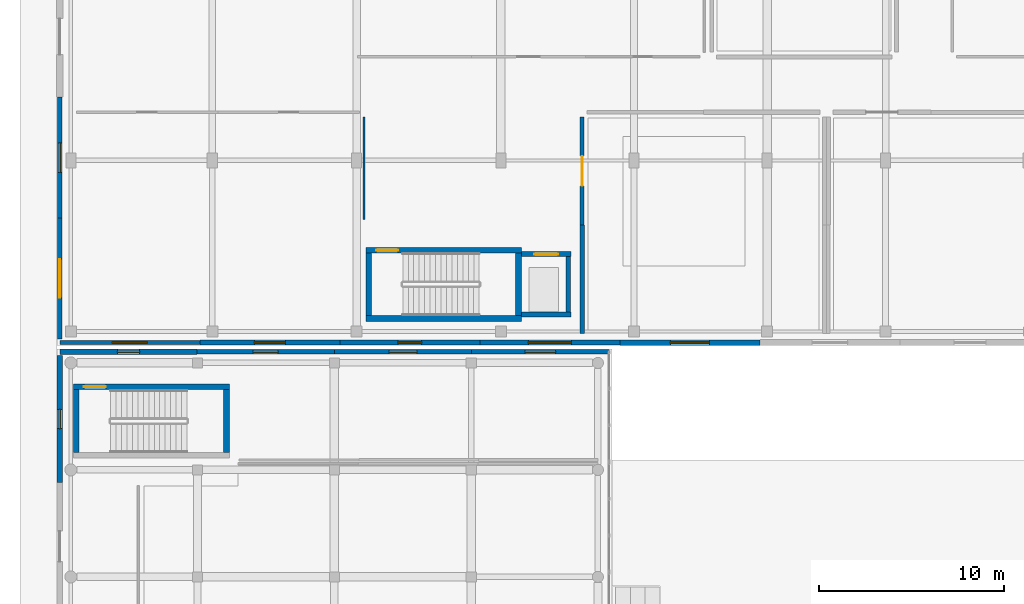
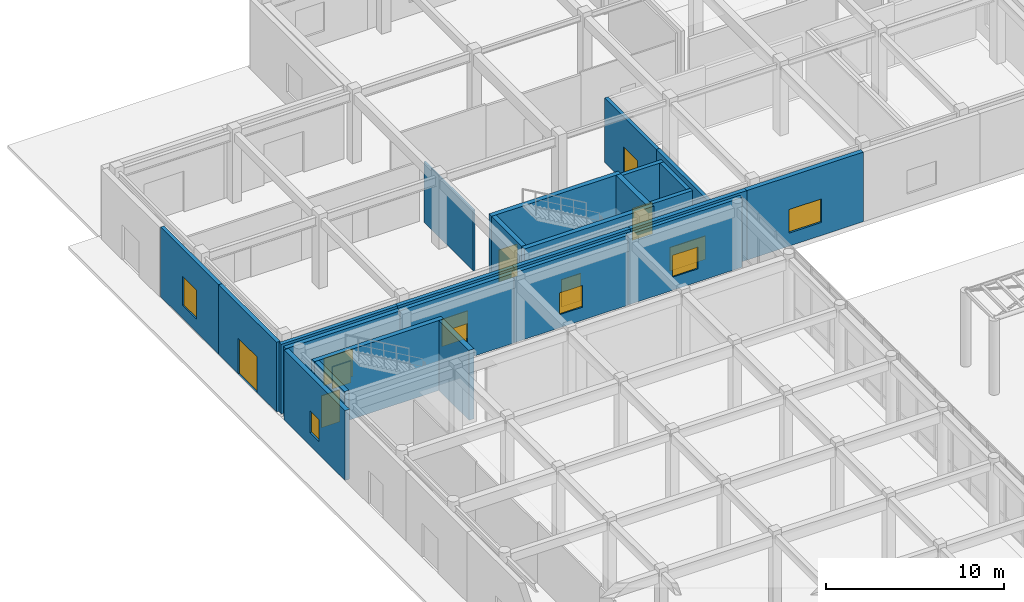
# One storey, part 101 of 121: 25 walls, 11 windows, 5 doors, 16 openings.
"""IFC4 building model written with IfcOpenShell, lengths in metres."""

from ifc_helpers import new_model, si_unit, direction, frame, frame_2d, origin, place, context, subcontext, project, spatial, rectangle, extrude, material, layer, layer_set, type_object, element, fill, save


model = new_model("IFC4")

# Units and contexts
model_context = context("Model", 3, precision=1e-05, world=origin(), true_north=direction((0.0, 1.0)))
body_context = subcontext(model_context, "Body", "Model", "MODEL_VIEW")
ifc_project = project(units=[si_unit("LENGTHUNIT", "METRE"), si_unit("AREAUNIT", "SQUARE_METRE"), si_unit("VOLUMEUNIT", "CUBIC_METRE"), si_unit("PLANEANGLEUNIT", "RADIAN"), si_unit("MASSUNIT", "GRAM", prefix="KILO")], contexts=[model_context])

# Site, building, storey
site_placement = place(None, origin())
site = spatial("IfcSite", under=ifc_project, at=site_placement, CompositionType="ELEMENT")
building_placement = place(site_placement, origin())
building = spatial("IfcBuilding", under=site, at=building_placement, Name="Valcora Specialist Clinic", CompositionType="ELEMENT")
storey_placement = place(building_placement, origin())
storey = spatial("IfcBuildingStorey", under=building, at=storey_placement, Name="L00", CompositionType="ELEMENT", Elevation=0.0)

# Wall, opening, door
ifc_material_1 = material(Name="Concrete C40/50", Category="concrete")
ifc_layer_1 = layer(ifc_material_1, 0.300048828125)
ifc_layer_set_1 = layer_set([ifc_layer_1], Name="Concrete C40/50")
wall_type_1 = type_object("IfcWallType", Name="TY-WL-CR300", PredefinedType="SHEAR", material=ifc_layer_set_1)
wall_1_placement = place(storey_placement, frame((0.89990234375, 77.949951171875, 0.0), z_axis=(0.0, 0.0, 1.0), x_axis=(1.0, 0.0, 0.0)))
wall_1 = element("IfcWall", 1, at=wall_1_placement, inside=storey, type_object=wall_type_1, Name="Core shear wall WL-CR-C-V1B-L00-N", PredefinedType="SHEAR", context=body_context, shape_type="SweptSolid", body=[
    extrude(rectangle(XDim=8.420166015625, YDim=0.300048828125, at=frame_2d((4.2099609375, 0.0))), origin(), (0.0, 0.0, 1.0), 4.81005859375),
])
opening_1_placement = place(wall_1_placement, frame((0.550048828125, 0.0, 0.0)))
opening_1 = element("IfcOpeningElement", 2, at=opening_1_placement, cuts=wall_1, Name="Opening DR-FD-120", PredefinedType="OPENING", context=body_context, shape_type="SweptSolid", body=[
    extrude(rectangle(XDim=1.199951171875, YDim=2.199951171875, at=frame_2d((0.60009765625, 1.10009765625))), frame((0.0, 0.159912109375, 0.0), z_axis=(0.0, -1.0, 0.0), x_axis=(1.0, 0.0, 0.0)), (0.0, 0.0, 1.0), 0.320068359375),
])
ifc_material_2 = material(Name="Galvanized Hollow Metal Door Steel ASTM A653", Category="steel")
door_type_1 = type_object("IfcDoorType", Name="TY-DR-ST120", OperationType="NOTDEFINED", PredefinedType="DOOR", material=ifc_material_2)
door_1_placement = place(opening_1_placement, origin())
door_1 = element("IfcDoor", 3, at=door_1_placement, inside=storey, type_object=door_type_1, Name="Exit stair fire door C-V1B L00", OperationType="SINGLE_SWING_LEFT", OverallHeight=2.199951171875, OverallWidth=1.199951171875, PredefinedType="DOOR", context=body_context, shape_type="SweptSolid", body=[
    extrude(rectangle(XDim=1.199951171875, YDim=2.199951171875, at=frame_2d((0.60009765625, 1.10009765625))), frame((0.0, 0.02490234375, 0.0), z_axis=(0.0, -1.0, 0.0), x_axis=(1.0, 0.0, 0.0)), (0.0, 0.0, 1.0), 0.050048828125),
])
fill(opening_1, door_1)

# Walls
wall_2_placement = place(storey_placement, frame((1.050048828125, 74.402099609375, 0.0), z_axis=(0.0, 0.0, 1.0), x_axis=(0.0, 1.0, 0.0)))
element("IfcWall", 4, at=wall_2_placement, inside=storey, type_object=wall_type_1, Name="Core shear wall WL-CR-C-V1B-L00-W", PredefinedType="SHEAR", context=body_context, shape_type="SweptSolid", body=[
    extrude(rectangle(XDim=3.39599609375, YDim=0.300048828125, at=frame_2d((1.697998046875, 0.0))), origin(), (0.0, 0.0, 1.0), 4.81005859375),
])
wall_3_placement = place(storey_placement, frame((16.699951171875, 81.64990234375, 0.0), z_axis=(0.0, 0.0, 1.0), x_axis=(1.0, 0.0, 0.0)))
element("IfcWall", 5, at=wall_3_placement, inside=storey, type_object=wall_type_1, Name="Core shear wall WL-CR-C-V2A-L00-S", PredefinedType="SHEAR", context=body_context, shape_type="SweptSolid", body=[
    extrude(rectangle(XDim=8.420166015625, YDim=0.300048828125, at=frame_2d((4.2099609375, 0.0))), origin(), (0.0, 0.0, 1.0), 4.784912109375),
])

# Wall, opening, door
wall_4_placement = place(storey_placement, frame((16.699951171875, 85.35009765625, 0.0), z_axis=(0.0, 0.0, 1.0), x_axis=(1.0, 0.0, 0.0)))
wall_4 = element("IfcWall", 6, at=wall_4_placement, inside=storey, type_object=wall_type_1, Name="Core shear wall WL-CR-C-V2A-L00-N", PredefinedType="SHEAR", context=body_context, shape_type="SweptSolid", body=[
    extrude(rectangle(XDim=8.420166015625, YDim=0.300048828125, at=frame_2d((4.2099609375, 0.0))), origin(), (0.0, 0.0, 1.0), 4.784912109375),
])
opening_2_placement = place(wall_4_placement, frame((0.550048828125, 0.0, 0.0)))
opening_2 = element("IfcOpeningElement", 7, at=opening_2_placement, cuts=wall_4, Name="Opening DR-FD-120", PredefinedType="OPENING", context=body_context, shape_type="SweptSolid", body=[
    extrude(rectangle(XDim=1.199951171875, YDim=2.199951171875, at=frame_2d((0.60009765625, 1.10009765625))), frame((0.0, 0.159912109375, 0.0), z_axis=(0.0, -1.0, 0.0), x_axis=(1.0, 0.0, 0.0)), (0.0, 0.0, 1.0), 0.320068359375),
])
door_2_placement = place(opening_2_placement, origin())
door_2 = element("IfcDoor", 8, at=door_2_placement, inside=storey, type_object=door_type_1, Name="Exit stair fire door C-V2A L00", OperationType="SINGLE_SWING_LEFT", OverallHeight=2.199951171875, OverallWidth=1.199951171875, PredefinedType="DOOR", context=body_context, shape_type="SweptSolid", body=[
    extrude(rectangle(XDim=1.199951171875, YDim=2.199951171875, at=frame_2d((0.60009765625, 1.10009765625))), frame((0.0, 0.02490234375, 0.0), z_axis=(0.0, -1.0, 0.0), x_axis=(1.0, 0.0, 0.0)), (0.0, 0.0, 1.0), 0.050048828125),
])
fill(opening_2, door_2)

# Walls
wall_5_placement = place(storey_placement, frame((16.85009765625, 81.802001953125, 0.0), z_axis=(0.0, 0.0, 1.0), x_axis=(0.0, 1.0, 0.0)))
element("IfcWall", 9, at=wall_5_placement, inside=storey, type_object=wall_type_1, Name="Core shear wall WL-CR-C-V2A-L00-W", PredefinedType="SHEAR", context=body_context, shape_type="SweptSolid", body=[
    extrude(rectangle(XDim=3.39599609375, YDim=0.300048828125, at=frame_2d((1.697998046875, 0.0))), origin(), (0.0, 0.0, 1.0), 4.784912109375),
])
ifc_layer_2 = layer(ifc_material_1, 0.320068359375)
ifc_layer_set_2 = layer_set([ifc_layer_2], Name="Concrete C40/50")
wall_type_2 = type_object("IfcWallType", Name="TY-WL-CR320", PredefinedType="SHEAR", material=ifc_layer_set_2)
wall_6_placement = place(storey_placement, frame((9.159912109375, 74.402099609375, 0.0), z_axis=(0.0, 0.0, 1.0), x_axis=(0.0, 1.0, 0.0)))
element("IfcWall", 10, at=wall_6_placement, inside=storey, type_object=wall_type_2, Name="Core shear wall WL-CR-C-V1B-L00-E", PredefinedType="SHEAR", context=body_context, shape_type="SweptSolid", body=[
    extrude(rectangle(XDim=3.39599609375, YDim=0.320068359375, at=frame_2d((1.697998046875, 0.0))), origin(), (0.0, 0.0, 1.0), 4.81005859375),
])
wall_7_placement = place(storey_placement, frame((24.9599609375, 81.802001953125, 0.0), z_axis=(0.0, 0.0, 1.0), x_axis=(0.0, 1.0, 0.0)))
element("IfcWall", 11, at=wall_7_placement, inside=storey, type_object=wall_type_2, Name="Core shear wall WL-CR-C-V2A-L00-E", PredefinedType="SHEAR", context=body_context, shape_type="SweptSolid", body=[
    extrude(rectangle(XDim=3.39599609375, YDim=0.320068359375, at=frame_2d((1.697998046875, 0.0))), origin(), (0.0, 0.0, 1.0), 4.784912109375),
])

# Wall, opening, window
ifc_material_3 = material(Name="Extruded Jalisco Clay Brick Masonry", Category="masonry")
ifc_layer_3 = layer(ifc_material_3, 0.235107421875)
ifc_layer_set_3 = layer_set([ifc_layer_3], Name="Extruded Jalisco Clay Brick Masonry")
wall_type_3 = type_object("IfcWallType", Name="TY-WL-EW235", PredefinedType="SOLIDWALL", material=ifc_layer_set_3)
wall_8_placement = place(storey_placement, frame((22.425048828125, 79.85009765625, 0.0), z_axis=(0.0, 0.0, 1.0), x_axis=(1.0, 0.0, 0.0)))
wall_8 = element("IfcWall", 12, at=wall_8_placement, inside=storey, type_object=wall_type_3, Name="Exterior wall WL-EXT-L00-0020", PredefinedType="SOLIDWALL", context=body_context, shape_type="SweptSolid", body=[
    extrude(rectangle(XDim=7.425048828125, YDim=0.235107421875, at=frame_2d((3.71240234375, 0.0))), origin(), (0.0, 0.0, 1.0), 4.81005859375),
])
opening_3_placement = place(wall_8_placement, frame((2.887939453125, 0.0, 0.89990234375)))
opening_3 = element("IfcOpeningElement", 13, at=opening_3_placement, cuts=wall_8, Name="Opening WN-06", PredefinedType="OPENING", context=body_context, shape_type="SweptSolid", body=[
    extrude(rectangle(XDim=1.64990234375, YDim=1.5, at=frame_2d((0.824951171875, 0.75))), frame((0.0, 0.12744140625, 0.0), z_axis=(0.0, -1.0, 0.0), x_axis=(1.0, 0.0, 0.0)), (0.0, 0.0, 1.0), 0.255126953125),
])
ifc_material_4 = material(Name="Low-E Laminated Insulating Glass", Category="glass")
window_type_1 = type_object("IfcWindowType", Name="TY-WN-06", PartitioningType="SINGLE_PANEL", PredefinedType="WINDOW", material=ifc_material_4)
window_1_placement = place(opening_3_placement, origin())
window_1 = element("IfcWindow", 14, at=window_1_placement, inside=storey, type_object=window_type_1, Name="Facade window WN-L00-0006", OverallHeight=1.5, OverallWidth=1.64990234375, PartitioningType="SINGLE_PANEL", PredefinedType="WINDOW", context=body_context, shape_type="SweptSolid", body=[
    extrude(rectangle(XDim=1.64990234375, YDim=1.5, at=frame_2d((0.824951171875, 0.75))), frame((0.0, 0.030029296875, 0.0), z_axis=(0.0, -1.0, 0.0), x_axis=(1.0, 0.0, 0.0)), (0.0, 0.0, 1.0), 0.06005859375),
])
fill(opening_3, window_1)

wall_9_placement = place(storey_placement, frame((0.14990234375, 87.080078125, 0.0), z_axis=(0.0, 0.0, 1.0), x_axis=(0.0, 1.0, 0.0)))
wall_9 = element("IfcWall", 15, at=wall_9_placement, inside=storey, type_object=wall_type_3, Name="Exterior wall WL-EXT-L00-0040", PredefinedType="SOLIDWALL", context=body_context, shape_type="SweptSolid", body=[
    extrude(rectangle(XDim=6.5400390625, YDim=0.235107421875, at=frame_2d((3.27001953125, 0.0))), origin(), (0.0, 0.0, 1.0), 4.784912109375),
])
opening_4_placement = place(wall_9_placement, frame((2.469970703125, 0.0, 0.89990234375)))
opening_4 = element("IfcOpeningElement", 16, at=opening_4_placement, cuts=wall_9, Name="Opening WN-24", PredefinedType="OPENING", context=body_context, shape_type="SweptSolid", body=[
    extrude(rectangle(XDim=1.60009765625, YDim=2.0, at=frame_2d((0.800048828125, 1.0))), frame((0.0, 0.12744140625, 0.0), z_axis=(0.0, -1.0, 0.0), x_axis=(1.0, 0.0, 0.0)), (0.0, 0.0, 1.0), 0.255126953125),
])
window_type_2 = type_object("IfcWindowType", Name="TY-WN-24", PartitioningType="SINGLE_PANEL", PredefinedType="WINDOW", material=ifc_material_4)
window_2_placement = place(opening_4_placement, origin())
window_2 = element("IfcWindow", 17, at=window_2_placement, inside=storey, type_object=window_type_2, Name="Facade window WN-L00-0024", OverallHeight=2.0, OverallWidth=1.60009765625, PartitioningType="SINGLE_PANEL", PredefinedType="WINDOW", context=body_context, shape_type="SweptSolid", body=[
    extrude(rectangle(XDim=1.60009765625, YDim=2.0, at=frame_2d((0.800048828125, 1.0))), frame((0.0, 0.030029296875, 0.0), z_axis=(0.0, -1.0, 0.0), x_axis=(1.0, 0.0, 0.0)), (0.0, 0.0, 1.0), 0.06005859375),
])
fill(opening_4, window_2)

wall_10_placement = place(storey_placement, frame((7.721435546875, 80.35009765625, 0.0), z_axis=(0.0, 0.0, 1.0), x_axis=(-1.0, 0.0, 0.0)))
wall_10 = element("IfcWall", 18, at=wall_10_placement, inside=storey, type_object=wall_type_3, Name="Exterior wall WL-EXT-L00-0060", PredefinedType="SOLIDWALL", context=body_context, shape_type="SweptSolid", body=[
    extrude(rectangle(XDim=7.571533203125, YDim=0.235107421875, at=frame_2d((3.78564453125, 0.0))), origin(), (0.0, 0.0, 1.0), 4.784912109375),
])
opening_5_placement = place(wall_10_placement, frame((2.845947265625, 0.0, 0.89990234375)))
opening_5 = element("IfcOpeningElement", 19, at=opening_5_placement, cuts=wall_10, Name="Opening WN-41", PredefinedType="OPENING", context=body_context, shape_type="SweptSolid", body=[
    extrude(rectangle(XDim=1.8798828125, YDim=1.8798828125, at=frame_2d((0.93994140625, 0.93994140625))), frame((0.0, 0.12744140625, 0.0), z_axis=(0.0, -1.0, 0.0), x_axis=(1.0, 0.0, 0.0)), (0.0, 0.0, 1.0), 0.255126953125),
])
window_type_3 = type_object("IfcWindowType", Name="TY-WN-41", PartitioningType="SINGLE_PANEL", PredefinedType="WINDOW", material=ifc_material_4)
window_3_placement = place(opening_5_placement, origin())
window_3 = element("IfcWindow", 20, at=window_3_placement, inside=storey, type_object=window_type_3, Name="Facade window WN-L00-0041", OverallHeight=1.8798828125, OverallWidth=1.8798828125, PartitioningType="SINGLE_PANEL", PredefinedType="WINDOW", context=body_context, shape_type="SweptSolid", body=[
    extrude(rectangle(XDim=1.8798828125, YDim=1.8798828125, at=frame_2d((0.93994140625, 0.93994140625))), frame((0.0, 0.030029296875, 0.0), z_axis=(0.0, -1.0, 0.0), x_axis=(1.0, 0.0, 0.0)), (0.0, 0.0, 1.0), 0.06005859375),
])
fill(opening_5, window_3)

ifc_layer_4 = layer(ifc_material_3, 0.25)
ifc_layer_set_4 = layer_set([ifc_layer_4], Name="Extruded Jalisco Clay Brick Masonry")
wall_type_4 = type_object("IfcWallType", Name="TY-WL-EW250", PredefinedType="SOLIDWALL", material=ifc_layer_set_4)
wall_11_placement = place(storey_placement, frame((15.0, 79.85009765625, 0.0), z_axis=(0.0, 0.0, 1.0), x_axis=(1.0, 0.0, 0.0)))
wall_11 = element("IfcWall", 21, at=wall_11_placement, inside=storey, type_object=wall_type_4, Name="Exterior wall WL-EXT-L00-0019", PredefinedType="SOLIDWALL", context=body_context, shape_type="SweptSolid", body=[
    extrude(rectangle(XDim=7.425048828125, YDim=0.25, at=frame_2d((3.71240234375, 0.0))), origin(), (0.0, 0.0, 1.0), 4.81005859375),
])
opening_6_placement = place(wall_11_placement, frame((2.962890625, 0.0, 0.89990234375)))
opening_6 = element("IfcOpeningElement", 22, at=opening_6_placement, cuts=wall_11, Name="Opening WN-05", PredefinedType="OPENING", context=body_context, shape_type="SweptSolid", body=[
    extrude(rectangle(XDim=1.5, YDim=1.5, at=frame_2d((0.75, 0.75))), frame((0.0, 0.135009765625, 0.0), z_axis=(0.0, -1.0, 0.0), x_axis=(1.0, 0.0, 0.0)), (0.0, 0.0, 1.0), 0.27001953125),
])
window_type_4 = type_object("IfcWindowType", Name="TY-WN-05", PartitioningType="SINGLE_PANEL", PredefinedType="WINDOW", material=ifc_material_4)
window_4_placement = place(opening_6_placement, origin())
window_4 = element("IfcWindow", 23, at=window_4_placement, inside=storey, type_object=window_type_4, Name="Facade window WN-L00-0005", OverallHeight=1.5, OverallWidth=1.5, PartitioningType="SINGLE_PANEL", PredefinedType="WINDOW", context=body_context, shape_type="SweptSolid", body=[
    extrude(rectangle(XDim=1.5, YDim=1.5, at=frame_2d((0.75, 0.75))), frame((0.0, 0.030029296875, 0.0), z_axis=(0.0, -1.0, 0.0), x_axis=(1.0, 0.0, 0.0)), (0.0, 0.0, 1.0), 0.06005859375),
])
fill(opening_6, window_4)

# Wall, opening, door
wall_12_placement = place(storey_placement, frame((0.14990234375, 80.5400390625, 0.0), z_axis=(0.0, 0.0, 1.0), x_axis=(0.0, 1.0, 0.0)))
wall_12 = element("IfcWall", 24, at=wall_12_placement, inside=storey, type_object=wall_type_4, Name="Exterior wall WL-EXT-L00-0039", PredefinedType="SOLIDWALL", context=body_context, shape_type="SweptSolid", body=[
    extrude(rectangle(XDim=6.5400390625, YDim=0.25, at=frame_2d((3.27001953125, 0.0))), origin(), (0.0, 0.0, 1.0), 4.784912109375),
])
opening_7_placement = place(wall_12_placement, frame((2.219970703125, 0.0, 0.0)))
opening_7 = element("IfcOpeningElement", 25, at=opening_7_placement, cuts=wall_12, Name="Opening DR-EX-210", PredefinedType="OPENING", context=body_context, shape_type="SweptSolid", body=[
    extrude(rectangle(XDim=2.10009765625, YDim=2.449951171875, at=frame_2d((1.050048828125, 1.22509765625))), frame((0.0, 0.135009765625, 0.0), z_axis=(0.0, -1.0, 0.0), x_axis=(1.0, 0.0, 0.0)), (0.0, 0.0, 1.0), 0.27001953125),
])
ifc_material_5 = material(Name="Anodized Bronze Aluminium 6063-T6", Category="aluminium")
door_type_2 = type_object("IfcDoorType", Name="TY-DR-EX210", OperationType="NOTDEFINED", PredefinedType="DOOR", material=ifc_material_5)
door_3_placement = place(opening_7_placement, origin())
door_3 = element("IfcDoor", 26, at=door_3_placement, inside=storey, type_object=door_type_2, Name="Exterior door DR-EXT-L00-006", OperationType="SINGLE_SWING_RIGHT", OverallHeight=2.449951171875, OverallWidth=2.10009765625, PredefinedType="DOOR", context=body_context, shape_type="SweptSolid", body=[
    extrude(rectangle(XDim=2.10009765625, YDim=2.449951171875, at=frame_2d((1.050048828125, 1.22509765625))), frame((0.0, 0.02490234375, 0.0), z_axis=(0.0, -1.0, 0.0), x_axis=(1.0, 0.0, 0.0)), (0.0, 0.0, 1.0), 0.050048828125),
])
fill(opening_7, door_3)

# Wall, opening, window
wall_13_placement = place(storey_placement, frame((15.29296875, 80.35009765625, 0.0), z_axis=(0.0, 0.0, 1.0), x_axis=(-1.0, 0.0, 0.0)))
wall_13 = element("IfcWall", 27, at=wall_13_placement, inside=storey, type_object=wall_type_4, Name="Exterior wall WL-EXT-L00-0059", PredefinedType="SOLIDWALL", context=body_context, shape_type="SweptSolid", body=[
    extrude(rectangle(XDim=7.571533203125, YDim=0.25, at=frame_2d((3.78564453125, 0.0))), origin(), (0.0, 0.0, 1.0), 4.784912109375),
])
opening_8_placement = place(wall_13_placement, frame((2.946044921875, 0.0, 0.89990234375)))
opening_8 = element("IfcOpeningElement", 28, at=opening_8_placement, cuts=wall_13, Name="Opening WN-40", PredefinedType="OPENING", context=body_context, shape_type="SweptSolid", body=[
    extrude(rectangle(XDim=1.679931640625, YDim=1.8798828125, at=frame_2d((0.83984375, 0.93994140625))), frame((0.0, 0.135009765625, 0.0), z_axis=(0.0, -1.0, 0.0), x_axis=(1.0, 0.0, 0.0)), (0.0, 0.0, 1.0), 0.27001953125),
])
window_type_5 = type_object("IfcWindowType", Name="TY-WN-40", PartitioningType="SINGLE_PANEL", PredefinedType="WINDOW", material=ifc_material_4)
window_5_placement = place(opening_8_placement, origin())
window_5 = element("IfcWindow", 29, at=window_5_placement, inside=storey, type_object=window_type_5, Name="Facade window WN-L00-0040", OverallHeight=1.8798828125, OverallWidth=1.679931640625, PartitioningType="SINGLE_PANEL", PredefinedType="WINDOW", context=body_context, shape_type="SweptSolid", body=[
    extrude(rectangle(XDim=1.679931640625, YDim=1.8798828125, at=frame_2d((0.83984375, 0.93994140625))), frame((0.0, 0.030029296875, 0.0), z_axis=(0.0, -1.0, 0.0), x_axis=(1.0, 0.0, 0.0)), (0.0, 0.0, 1.0), 0.06005859375),
])
fill(opening_8, window_5)

ifc_layer_5 = layer(ifc_material_3, 0.264892578125)
ifc_layer_set_5 = layer_set([ifc_layer_5], Name="Extruded Jalisco Clay Brick Masonry")
wall_type_5 = type_object("IfcWallType", Name="TY-WL-EW265", PredefinedType="SOLIDWALL", material=ifc_layer_set_5)
wall_14_placement = place(storey_placement, frame((7.574951171875, 79.85009765625, 0.0), z_axis=(0.0, 0.0, 1.0), x_axis=(1.0, 0.0, 0.0)))
wall_14 = element("IfcWall", 30, at=wall_14_placement, inside=storey, type_object=wall_type_5, Name="Exterior wall WL-EXT-L00-0018", PredefinedType="SOLIDWALL", context=body_context, shape_type="SweptSolid", body=[
    extrude(rectangle(XDim=7.425048828125, YDim=0.264892578125, at=frame_2d((3.71240234375, 0.0))), origin(), (0.0, 0.0, 1.0), 4.81005859375),
])
opening_9_placement = place(wall_14_placement, frame((3.037109375, 0.0, 0.89990234375)))
opening_9 = element("IfcOpeningElement", 31, at=opening_9_placement, cuts=wall_14, Name="Opening WN-04", PredefinedType="OPENING", context=body_context, shape_type="SweptSolid", body=[
    extrude(rectangle(XDim=1.35009765625, YDim=1.5, at=frame_2d((0.675048828125, 0.75))), frame((0.0, 0.142333984375, 0.0), z_axis=(0.0, -1.0, 0.0), x_axis=(1.0, 0.0, 0.0)), (0.0, 0.0, 1.0), 0.284912109375),
])
window_type_6 = type_object("IfcWindowType", Name="TY-WN-04", PartitioningType="SINGLE_PANEL", PredefinedType="WINDOW", material=ifc_material_4)
window_6_placement = place(opening_9_placement, origin())
window_6 = element("IfcWindow", 32, at=window_6_placement, inside=storey, type_object=window_type_6, Name="Facade window WN-L00-0004", OverallHeight=1.5, OverallWidth=1.35009765625, PartitioningType="SINGLE_PANEL", PredefinedType="WINDOW", context=body_context, shape_type="SweptSolid", body=[
    extrude(rectangle(XDim=1.35009765625, YDim=1.5, at=frame_2d((0.675048828125, 0.75))), frame((0.0, 0.030029296875, 0.0), z_axis=(0.0, -1.0, 0.0), x_axis=(1.0, 0.0, 0.0)), (0.0, 0.0, 1.0), 0.06005859375),
])
fill(opening_9, window_6)

wall_15_placement = place(storey_placement, frame((22.8642578125, 80.35009765625, 0.0), z_axis=(0.0, 0.0, 1.0), x_axis=(-1.0, 0.0, 0.0)))
wall_15 = element("IfcWall", 33, at=wall_15_placement, inside=storey, type_object=wall_type_5, Name="Exterior wall WL-EXT-L00-0058", PredefinedType="SOLIDWALL", context=body_context, shape_type="SweptSolid", body=[
    extrude(rectangle(XDim=7.5712890625, YDim=0.264892578125, at=frame_2d((3.78564453125, 0.0))), origin(), (0.0, 0.0, 1.0), 4.784912109375),
])
opening_10_placement = place(wall_15_placement, frame((3.14599609375, 0.0, 0.89990234375)))
opening_10 = element("IfcOpeningElement", 34, at=opening_10_placement, cuts=wall_15, Name="Opening WN-39", PredefinedType="OPENING", context=body_context, shape_type="SweptSolid", body=[
    extrude(rectangle(XDim=1.280029296875, YDim=1.8798828125, at=frame_2d((0.64013671875, 0.93994140625))), frame((0.0, 0.142333984375, 0.0), z_axis=(0.0, -1.0, 0.0), x_axis=(1.0, 0.0, 0.0)), (0.0, 0.0, 1.0), 0.284912109375),
])
window_type_7 = type_object("IfcWindowType", Name="TY-WN-39", PartitioningType="SINGLE_PANEL", PredefinedType="WINDOW", material=ifc_material_4)
window_7_placement = place(opening_10_placement, origin())
window_7 = element("IfcWindow", 35, at=window_7_placement, inside=storey, type_object=window_type_7, Name="Facade window WN-L00-0039", OverallHeight=1.8798828125, OverallWidth=1.280029296875, PartitioningType="SINGLE_PANEL", PredefinedType="WINDOW", context=body_context, shape_type="SweptSolid", body=[
    extrude(rectangle(XDim=1.280029296875, YDim=1.8798828125, at=frame_2d((0.64013671875, 0.93994140625))), frame((0.0, 0.030029296875, 0.0), z_axis=(0.0, -1.0, 0.0), x_axis=(1.0, 0.0, 0.0)), (0.0, 0.0, 1.0), 0.06005859375),
])
fill(opening_10, window_7)

ifc_layer_6 = layer(ifc_material_3, 0.280029296875)
ifc_layer_set_6 = layer_set([ifc_layer_6], Name="Extruded Jalisco Clay Brick Masonry")
wall_type_6 = type_object("IfcWallType", Name="TY-WL-EW280", PredefinedType="SOLIDWALL", material=ifc_layer_set_6)
wall_16_placement = place(storey_placement, frame((0.14990234375, 79.85009765625, 0.0), z_axis=(0.0, 0.0, 1.0), x_axis=(1.0, 0.0, 0.0)))
wall_16 = element("IfcWall", 36, at=wall_16_placement, inside=storey, type_object=wall_type_6, Name="Exterior wall WL-EXT-L00-0017", PredefinedType="SOLIDWALL", context=body_context, shape_type="SweptSolid", body=[
    extrude(rectangle(XDim=7.425048828125, YDim=0.280029296875, at=frame_2d((3.71240234375, 0.0))), origin(), (0.0, 0.0, 1.0), 4.81005859375),
])
opening_11_placement = place(wall_16_placement, frame((3.112060546875, 0.0, 0.89990234375)))
opening_11 = element("IfcOpeningElement", 37, at=opening_11_placement, cuts=wall_16, Name="Opening WN-03", PredefinedType="OPENING", context=body_context, shape_type="SweptSolid", body=[
    extrude(rectangle(XDim=1.199951171875, YDim=1.5, at=frame_2d((0.60009765625, 0.75))), frame((0.0, 0.14990234375, 0.0), z_axis=(0.0, -1.0, 0.0), x_axis=(1.0, 0.0, 0.0)), (0.0, 0.0, 1.0), 0.300048828125),
])
window_type_8 = type_object("IfcWindowType", Name="TY-WN-03", PartitioningType="SINGLE_PANEL", PredefinedType="WINDOW", material=ifc_material_4)
window_8_placement = place(opening_11_placement, origin())
window_8 = element("IfcWindow", 38, at=window_8_placement, inside=storey, type_object=window_type_8, Name="Facade window WN-L00-0003", OverallHeight=1.5, OverallWidth=1.199951171875, PartitioningType="SINGLE_PANEL", PredefinedType="WINDOW", context=body_context, shape_type="SweptSolid", body=[
    extrude(rectangle(XDim=1.199951171875, YDim=1.5, at=frame_2d((0.60009765625, 0.75))), frame((0.0, 0.030029296875, 0.0), z_axis=(0.0, -1.0, 0.0), x_axis=(1.0, 0.0, 0.0)), (0.0, 0.0, 1.0), 0.06005859375),
])
fill(opening_11, window_8)

wall_17_placement = place(storey_placement, frame((30.435791015625, 80.35009765625, 0.0), z_axis=(0.0, 0.0, 1.0), x_axis=(-1.0, 0.0, 0.0)))
wall_17 = element("IfcWall", 39, at=wall_17_placement, inside=storey, type_object=wall_type_6, Name="Exterior wall WL-EXT-L00-0057", PredefinedType="SOLIDWALL", context=body_context, shape_type="SweptSolid", body=[
    extrude(rectangle(XDim=7.571533203125, YDim=0.280029296875, at=frame_2d((3.78564453125, 0.0))), origin(), (0.0, 0.0, 1.0), 4.784912109375),
])
opening_12_placement = place(wall_17_placement, frame((2.6259765625, 0.0, 0.89990234375)))
opening_12 = element("IfcOpeningElement", 40, at=opening_12_placement, cuts=wall_17, Name="Opening WN-38", PredefinedType="OPENING", context=body_context, shape_type="SweptSolid", body=[
    extrude(rectangle(XDim=2.320068359375, YDim=1.6201171875, at=frame_2d((1.16015625, 0.81005859375))), frame((0.0, 0.14990234375, 0.0), z_axis=(0.0, -1.0, 0.0), x_axis=(1.0, 0.0, 0.0)), (0.0, 0.0, 1.0), 0.300048828125),
])
window_type_9 = type_object("IfcWindowType", Name="TY-WN-38", PartitioningType="SINGLE_PANEL", PredefinedType="WINDOW", material=ifc_material_4)
window_9_placement = place(opening_12_placement, origin())
window_9 = element("IfcWindow", 41, at=window_9_placement, inside=storey, type_object=window_type_9, Name="Facade window WN-L00-0038", OverallHeight=1.6201171875, OverallWidth=2.320068359375, PartitioningType="SINGLE_PANEL", PredefinedType="WINDOW", context=body_context, shape_type="SweptSolid", body=[
    extrude(rectangle(XDim=2.320068359375, YDim=1.6201171875, at=frame_2d((1.16015625, 0.81005859375))), frame((0.0, 0.030029296875, 0.0), z_axis=(0.0, -1.0, 0.0), x_axis=(1.0, 0.0, 0.0)), (0.0, 0.0, 1.0), 0.06005859375),
])
fill(opening_12, window_9)

ifc_layer_7 = layer(ifc_material_3, 0.294921875)
ifc_layer_set_7 = layer_set([ifc_layer_7], Name="Extruded Jalisco Clay Brick Masonry")
wall_type_7 = type_object("IfcWallType", Name="TY-WL-EW295", PredefinedType="SOLIDWALL", material=ifc_layer_set_7)
wall_18_placement = place(storey_placement, frame((0.14990234375, 72.773193359375, 0.0), z_axis=(0.0, 0.0, 1.0), x_axis=(0.0, 1.0, 0.0)))
wall_18 = element("IfcWall", 42, at=wall_18_placement, inside=storey, type_object=wall_type_7, Name="Exterior wall WL-EXT-L00-0016", PredefinedType="SOLIDWALL", context=body_context, shape_type="SweptSolid", body=[
    extrude(rectangle(XDim=6.88671875, YDim=0.294921875, at=frame_2d((3.443359375, 0.0))), origin(), (0.0, 0.0, 1.0), 4.81005859375),
])
opening_13_placement = place(wall_18_placement, frame((2.91796875, 0.0, 0.89990234375)))
opening_13 = element("IfcOpeningElement", 43, at=opening_13_placement, cuts=wall_18, Name="Opening WN-02", PredefinedType="OPENING", context=body_context, shape_type="SweptSolid", body=[
    extrude(rectangle(XDim=1.050048828125, YDim=1.5, at=frame_2d((0.52490234375, 0.75))), frame((0.0, 0.157470703125, 0.0), z_axis=(0.0, -1.0, 0.0), x_axis=(1.0, 0.0, 0.0)), (0.0, 0.0, 1.0), 0.31494140625),
])
window_type_10 = type_object("IfcWindowType", Name="TY-WN-02", PartitioningType="SINGLE_PANEL", PredefinedType="WINDOW", material=ifc_material_4)
window_10_placement = place(opening_13_placement, origin())
window_10 = element("IfcWindow", 44, at=window_10_placement, inside=storey, type_object=window_type_10, Name="Facade window WN-L00-0002", OverallHeight=1.5, OverallWidth=1.050048828125, PartitioningType="SINGLE_PANEL", PredefinedType="WINDOW", context=body_context, shape_type="SweptSolid", body=[
    extrude(rectangle(XDim=1.050048828125, YDim=1.5, at=frame_2d((0.52490234375, 0.75))), frame((0.0, 0.030029296875, 0.0), z_axis=(0.0, -1.0, 0.0), x_axis=(1.0, 0.0, 0.0)), (0.0, 0.0, 1.0), 0.06005859375),
])
fill(opening_13, window_10)

wall_19_placement = place(storey_placement, frame((38.007080078125, 80.35009765625, 0.0), z_axis=(0.0, 0.0, 1.0), x_axis=(-1.0, 0.0, 0.0)))
wall_19 = element("IfcWall", 45, at=wall_19_placement, inside=storey, type_object=wall_type_7, Name="Exterior wall WL-EXT-L00-0056", PredefinedType="SOLIDWALL", context=body_context, shape_type="SweptSolid", body=[
    extrude(rectangle(XDim=7.5712890625, YDim=0.294921875, at=frame_2d((3.78564453125, 0.0))), origin(), (0.0, 0.0, 1.0), 4.784912109375),
])
opening_14_placement = place(wall_19_placement, frame((2.72607421875, 0.0, 0.89990234375)))
opening_14 = element("IfcOpeningElement", 46, at=opening_14_placement, cuts=wall_19, Name="Opening WN-37", PredefinedType="OPENING", context=body_context, shape_type="SweptSolid", body=[
    extrude(rectangle(XDim=2.1201171875, YDim=1.6201171875, at=frame_2d((1.06005859375, 0.81005859375))), frame((0.0, 0.157470703125, 0.0), z_axis=(0.0, -1.0, 0.0), x_axis=(1.0, 0.0, 0.0)), (0.0, 0.0, 1.0), 0.31494140625),
])
window_type_11 = type_object("IfcWindowType", Name="TY-WN-37", PartitioningType="SINGLE_PANEL", PredefinedType="WINDOW", material=ifc_material_4)
window_11_placement = place(opening_14_placement, origin())
window_11 = element("IfcWindow", 47, at=window_11_placement, inside=storey, type_object=window_type_11, Name="Facade window WN-L00-0037", OverallHeight=1.6201171875, OverallWidth=2.1201171875, PartitioningType="SINGLE_PANEL", PredefinedType="WINDOW", context=body_context, shape_type="SweptSolid", body=[
    extrude(rectangle(XDim=2.1201171875, YDim=1.6201171875, at=frame_2d((1.06005859375, 0.81005859375))), frame((0.0, 0.030029296875, 0.0), z_axis=(0.0, -1.0, 0.0), x_axis=(1.0, 0.0, 0.0)), (0.0, 0.0, 1.0), 0.06005859375),
])
fill(opening_14, window_11)

# Wall
ifc_material_6 = material(Name="Gypsum Board Partition Assembly")
ifc_layer_8 = layer(ifc_material_6, 0.114990234375)
ifc_layer_set_8 = layer_set([ifc_layer_8], Name="Gypsum Board Partition Assembly")
wall_type_8 = type_object("IfcWallType", Name="TY-WL-PT115", PredefinedType="PARTITIONING", material=ifc_layer_set_8)
wall_20_placement = place(storey_placement, frame((16.60009765625, 92.550048828125, 0.0), z_axis=(0.0, 0.0, 1.0), x_axis=(0.0, -1.0, 0.0)))
element("IfcWall", 48, at=wall_20_placement, inside=storey, type_object=wall_type_8, Name="Interior partition WL-INT-L00-0051", PredefinedType="PARTITIONING", context=body_context, shape_type="SweptSolid", body=[
    extrude(rectangle(XDim=5.550048828125, YDim=0.114990234375, at=frame_2d((2.77490234375, 0.0))), origin(), (0.0, 0.0, 1.0), 4.1689453125),
])

# Wall, opening, door
ifc_material_7 = material(Name="Lead-Lined Gypsum Partition Assembly")
ifc_layer_9 = layer(ifc_material_7, 0.215087890625)
ifc_layer_set_9 = layer_set([ifc_layer_9], Name="Lead-Lined Gypsum Partition Assembly")
wall_type_9 = type_object("IfcWallType", Name="TY-WL-PT215", PredefinedType="PARTITIONING", material=ifc_layer_set_9)
wall_21_placement = place(storey_placement, frame((28.39990234375, 86.699951171875, 0.0), z_axis=(0.0, 0.0, 1.0), x_axis=(0.0, 1.0, 0.0)))
wall_21 = element("IfcWall", 49, at=wall_21_placement, inside=storey, type_object=wall_type_9, Name="Interior partition WL-INT-L00-0040", PredefinedType="PARTITIONING", context=body_context, shape_type="SweptSolid", body=[
    extrude(rectangle(XDim=5.85009765625, YDim=0.215087890625, at=frame_2d((2.925048828125, 0.0))), origin(), (0.0, 0.0, 1.0), 4.425048828125),
])
opening_15_placement = place(wall_21_placement, frame((2.125, 0.0, 0.0)))
opening_15 = element("IfcOpeningElement", 50, at=opening_15_placement, cuts=wall_21, Name="Opening DR-IM-160", PredefinedType="OPENING", context=body_context, shape_type="SweptSolid", body=[
    extrude(rectangle(XDim=1.60009765625, YDim=2.35009765625, at=frame_2d((0.800048828125, 1.175048828125))), frame((0.0, 0.117431640625, 0.0), z_axis=(0.0, -1.0, 0.0), x_axis=(1.0, 0.0, 0.0)), (0.0, 0.0, 1.0), 0.235107421875),
])
door_type_3 = type_object("IfcDoorType", Name="TY-DR-IM160", OperationType="NOTDEFINED", PredefinedType="DOOR", material=ifc_material_7)
door_4_placement = place(opening_15_placement, origin())
door_4 = element("IfcDoor", 51, at=door_4_placement, inside=storey, type_object=door_type_3, Name="Interior door DR-INT-L00-0010", OperationType="SINGLE_SWING_RIGHT", OverallHeight=2.35009765625, OverallWidth=1.60009765625, PredefinedType="DOOR", context=body_context, shape_type="SweptSolid", body=[
    extrude(rectangle(XDim=1.60009765625, YDim=2.35009765625, at=frame_2d((0.800048828125, 1.175048828125))), frame((0.0, 0.02490234375, 0.0), z_axis=(0.0, -1.0, 0.0), x_axis=(1.0, 0.0, 0.0)), (0.0, 0.0, 1.0), 0.050048828125),
])
fill(opening_15, door_4)

# Walls
ifc_layer_10 = layer(ifc_material_7, 0.22998046875)
ifc_layer_set_10 = layer_set([ifc_layer_10], Name="Lead-Lined Gypsum Partition Assembly")
wall_type_10 = type_object("IfcWallType", Name="TY-WL-PT230", PredefinedType="PARTITIONING", material=ifc_layer_set_10)
wall_22_placement = place(storey_placement, frame((28.39990234375, 80.85009765625, 0.0), z_axis=(0.0, 0.0, 1.0), x_axis=(0.0, 1.0, 0.0)))
element("IfcWall", 52, at=wall_22_placement, inside=storey, type_object=wall_type_10, Name="Interior partition WL-INT-L00-0039", PredefinedType="PARTITIONING", context=body_context, shape_type="SweptSolid", body=[
    extrude(rectangle(XDim=5.849853515625, YDim=0.22998046875, at=frame_2d((2.9248046875, 0.0))), origin(), (0.0, 0.0, 1.0), 4.425048828125),
])
ifc_layer_11 = layer(ifc_material_1, 0.260009765625)
ifc_layer_set_11 = layer_set([ifc_layer_11], Name="Concrete C40/50")
wall_type_11 = type_object("IfcWallType", Name="TY-WL-SH260", PredefinedType="SHEAR", material=ifc_layer_set_11)
wall_23_placement = place(storey_placement, frame((25.1220703125, 81.8701171875, 0.0), z_axis=(0.0, 0.0, 1.0), x_axis=(1.0, 0.0, 0.0)))
element("IfcWall", 53, at=wall_23_placement, inside=storey, type_object=wall_type_11, Name="Lift shaft wall WL-LF-LF-02-L00-LS", PredefinedType="SHEAR", context=body_context, shape_type="SweptSolid", body=[
    extrude(rectangle(XDim=2.657958984375, YDim=0.260009765625, at=frame_2d((1.3291015625, 0.0))), origin(), (0.0, 0.0, 1.0), 4.784912109375),
])

# Wall, opening, door
wall_24_placement = place(storey_placement, frame((25.1220703125, 85.1298828125, 0.0), z_axis=(0.0, 0.0, 1.0), x_axis=(1.0, 0.0, 0.0)))
wall_24 = element("IfcWall", 54, at=wall_24_placement, inside=storey, type_object=wall_type_11, Name="Lift shaft wall WL-LF-LF-02-L00-LN", PredefinedType="SHEAR", context=body_context, shape_type="SweptSolid", body=[
    extrude(rectangle(XDim=2.657958984375, YDim=0.260009765625, at=frame_2d((1.3291015625, 0.0))), origin(), (0.0, 0.0, 1.0), 4.784912109375),
])
opening_16_placement = place(wall_24_placement, frame((0.678955078125, 0.0, 0.0)))
opening_16 = element("IfcOpeningElement", 55, at=opening_16_placement, cuts=wall_24, Name="Opening LD-130", PredefinedType="OPENING", context=body_context, shape_type="SweptSolid", body=[
    extrude(rectangle(XDim=1.300048828125, YDim=2.199951171875, at=frame_2d((0.64990234375, 1.10009765625))), frame((0.0, 0.139892578125, 0.0), z_axis=(0.0, -1.0, 0.0), x_axis=(1.0, 0.0, 0.0)), (0.0, 0.0, 1.0), 0.280029296875),
])
ifc_material_8 = material(Name="Stainless Steel AISI 316", Category="steel")
door_type_4 = type_object("IfcDoorType", Name="TY-LD-130", OperationType="NOTDEFINED", PredefinedType="DOOR", material=ifc_material_8)
door_5_placement = place(opening_16_placement, origin())
door_5 = element("IfcDoor", 56, at=door_5_placement, inside=storey, type_object=door_type_4, Name="Lift landing sliding door LF-02 L00", OperationType="SLIDING_TO_LEFT", OverallHeight=2.199951171875, OverallWidth=1.300048828125, PredefinedType="DOOR", context=body_context, shape_type="SweptSolid", body=[
    extrude(rectangle(XDim=1.300048828125, YDim=2.199951171875, at=frame_2d((0.64990234375, 1.10009765625))), frame((0.0, 0.02490234375, 0.0), z_axis=(0.0, -1.0, 0.0), x_axis=(1.0, 0.0, 0.0)), (0.0, 0.0, 1.0), 0.050048828125),
])
fill(opening_16, door_5)

# Wall
wall_25_placement = place(storey_placement, frame((27.64990234375, 82.001953125, 0.0), z_axis=(0.0, 0.0, 1.0), x_axis=(0.0, 1.0, 0.0)))
element("IfcWall", 57, at=wall_25_placement, inside=storey, type_object=wall_type_11, Name="Lift shaft wall WL-LF-LF-02-L00-LE", PredefinedType="SHEAR", context=body_context, shape_type="SweptSolid", body=[
    extrude(rectangle(XDim=2.99609375, YDim=0.260009765625, at=frame_2d((1.498046875, 0.0))), origin(), (0.0, 0.0, 1.0), 4.784912109375),
])

save(model, "model.ifc")
